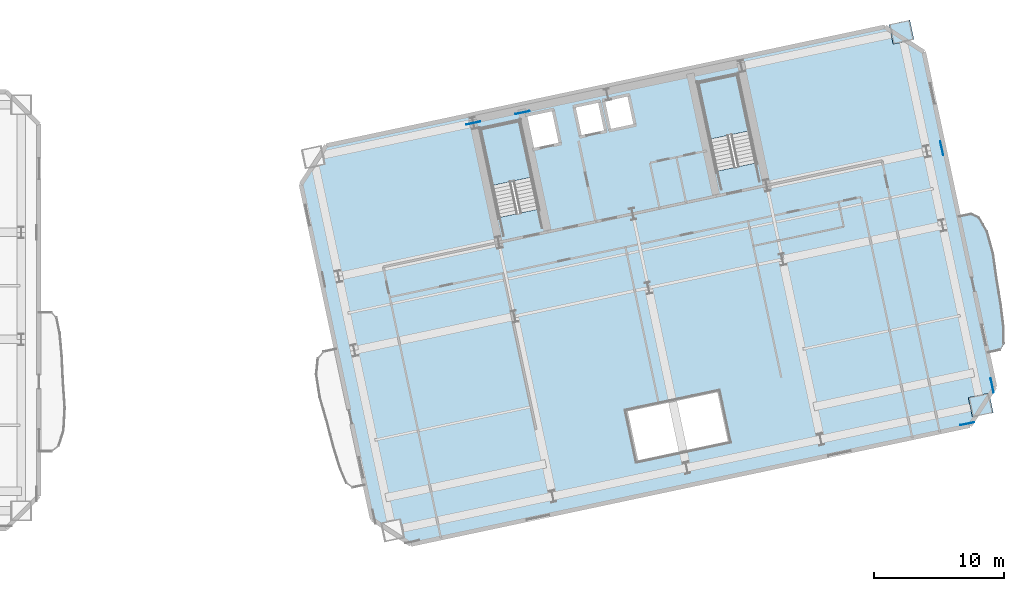
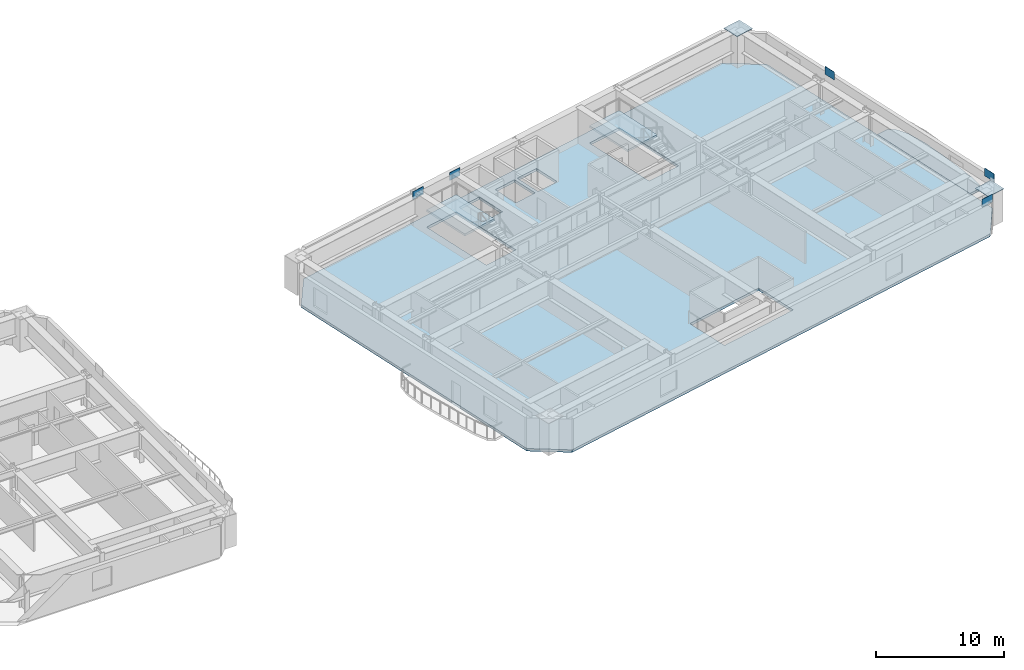
# One storey, part 6 of 18: 7 plates, 4 slabs, 2 elements without a shape of their own.
"""IFC4 building model written with IfcOpenShell, lengths in metres."""

from ifc_helpers import new_model, si_unit, direction, frame, origin, origin_2d, place, context, subcontext, project, spatial, polyline, rectangle, outline, extrude, material, layer, layer_set, type_object, element, aggregate, save


model = new_model("IFC4")

# Units and contexts
model_context = context("Model", 3, precision=1e-05, world=origin(), true_north=direction((0.0, 1.0)))
body_context = subcontext(model_context, "Body", "Model", "MODEL_VIEW")
ifc_project = project(units=[si_unit("LENGTHUNIT", "METRE"), si_unit("AREAUNIT", "SQUARE_METRE"), si_unit("VOLUMEUNIT", "CUBIC_METRE"), si_unit("PLANEANGLEUNIT", "RADIAN"), si_unit("MASSUNIT", "GRAM", prefix="KILO")], contexts=[model_context])

# Site, building, storey
site_placement = place(None, origin())
site = spatial("IfcSite", under=ifc_project, at=site_placement, CompositionType="ELEMENT")
building_placement = place(site_placement, origin())
building = spatial("IfcBuilding", under=site, at=building_placement, Name="Haevon Station Towers", CompositionType="ELEMENT")
storey_placement = place(building_placement, frame((0.0, 0.0, 66.89990234375)))
storey = spatial("IfcBuildingStorey", under=building, at=storey_placement, Name="L17", CompositionType="ELEMENT", Elevation=66.89990234375)

# Plates
ifc_material_1 = material(Name="PL-FLG1", Category="steel")
ifc_layer_1 = layer(ifc_material_1, 0.044921875)
ifc_layer_set_1 = layer_set([ifc_layer_1], Name="PL-FLG1")
plate_type_1 = type_object("IfcPlateType", Name="PL-FLG1", PredefinedType="USERDEFINED", material=ifc_layer_set_1)
for number, where, z_axis, x_axis, name in (
    (1, (135.70654296875, 24.95263671875, 3.050048828125), (0.0, 0.0, 1.0), (0.978147600734, 0.207911690818, 0.0), "PL-CAP-T2-L17-05-01"),
    (2, (129.625244140625, 53.5634765625, 3.050048828125), (0.0, 0.0, 1.0), (0.978147600734, 0.207911690818, 0.0), "PL-CAP-T2-L17-05-04"),
):
    element("IfcPlate", number, at=place(storey_placement, frame(where, z_axis=z_axis, x_axis=x_axis)), inside=storey, type_object=plate_type_1, Name=name, ObjectType="FLANGE_PLATE", PredefinedType="USERDEFINED", context=body_context, shape_type="SweptSolid", body=[
        extrude(rectangle(XDim=1.639892578125, YDim=1.5400390625, at=origin_2d()), origin(), (0.0, 0.0, 1.0), 0.0400390625),
    ])
ifc_material_2 = material(Name="PL-SPL1", Category="steel")
ifc_layer_2 = layer(ifc_material_2, 0.031982421875)
ifc_layer_set_2 = layer_set([ifc_layer_2], Name="PL-SPL1")
plate_type_2 = type_object("IfcPlateType", Name="PL-SPL1", PredefinedType="USERDEFINED", material=ifc_layer_set_2)
for number, where, z_axis, x_axis, name in (
    (3, (134.67822265625, 23.5380859375, 2.775146484375), (0.0, 0.0, 1.0), (0.978147600734, 0.207911690818, 0.0), "PL-T2SPL-T01-S-4"),
    (4, (96.808349609375, 46.588134765625, 2.775146484375), (0.0, 0.0, 1.0), (0.978147600734, 0.207911690818, 0.0), "PL-T2SPL-T01-N-3"),
    (5, (100.57421875, 47.388671875, 2.775146484375), (0.0, 0.0, 1.0), (0.978147600734, 0.207911690818, 0.0), "PL-T2SPL-T01-N-4"),
    (6, (136.580810546875, 26.467529296875, 2.775146484375), (0.0, 0.0, 1.0), (-0.207911690818, 0.978147600734, 0.0), "PL-T2SPL-T01-E-3"),
    (7, (132.713623046875, 44.6611328125, 2.775146484375), (0.0, 0.0, 1.0), (-0.207911690818, 0.978147600734, 0.0), "PL-T2SPL-T01-E-4"),
):
    element("IfcPlate", number, at=place(storey_placement, frame(where, z_axis=z_axis, x_axis=x_axis)), inside=storey, type_object=plate_type_2, Name=name, ObjectType="SPLICE_PLATE", PredefinedType="USERDEFINED", context=body_context, shape_type="SweptSolid", body=[
        extrude(rectangle(XDim=1.10009765625, YDim=0.031982421875, at=origin_2d()), origin(), (0.0, 0.0, 1.0), 0.75),
    ])

# Slab
ifc_material_3 = material(Name="Concrete C40/50", Category="concrete")
ifc_layer_3 = layer(ifc_material_3, 0.219970703125)
ifc_layer_set_3 = layer_set([ifc_layer_3], Name="Concrete C40/50")
slab_type_1 = type_object("IfcSlabType", Name="SL-BALC220", PredefinedType="FLOOR", material=ifc_layer_set_3)
slab_1_placement = place(storey_placement, frame((0.0, 0.0, -0.219970703125)))
element("IfcSlab", 8, at=slab_1_placement, inside=storey, type_object=slab_type_1, Name="Tower 2 L17 East SCALLOPED BALCONY", PredefinedType="FLOOR", context=body_context, shape_type="SweptSolid", body=[
    extrude(outline(polyline([(136.2470703125, 28.927001953125), (137.18359375, 29.1259765625), (137.48046875, 29.609375), (137.477783203125, 30.805419921875), (137.2802734375, 32.554443359375), (137.0029296875, 34.608154296875), (136.658203125, 36.647705078125), (136.181396484375, 38.33740234375), (135.565185546875, 39.403076171875), (134.938232421875, 39.68994140625), (134.001708984375, 39.490966796875), (136.2470703125, 28.927001953125)])), origin(), (0.0, 0.0, 1.0), 0.219970703125),
])

# Stair, slab
stair_type = type_object("IfcStairType", Name="STR-DL1450", PredefinedType="USERDEFINED", material=ifc_material_3)
stair_1_placement = place(storey_placement, origin())
stair_1 = element("IfcStair", 9, at=stair_1_placement, inside=storey, type_object=stair_type, Name="L17 Escape Stair ST3", ObjectType="TWO_RETURN_STAIR", PredefinedType="USERDEFINED")
ifc_layer_4 = layer(ifc_material_3, 0.199951171875)
ifc_layer_set_4 = layer_set([ifc_layer_4], Name="Concrete C40/50")
slab_type_2 = type_object("IfcSlabType", Name="SL-LND200", PredefinedType="LANDING", material=ifc_layer_set_4)
slab_2_placement = place(storey_placement, frame((0.0, 0.0, 1.4501953125)))
slab_2 = element("IfcSlab", 10, at=slab_2_placement, type_object=slab_type_2, Name="L17 ST3 Half Landing 1", PredefinedType="LANDING", context=body_context, shape_type="SweptSolid", body=[
    extrude(outline(polyline([(101.2880859375, 42.44287109375), (100.36572265625, 46.781982421875), (97.33349609375, 46.137451171875), (98.255859375, 41.79833984375), (101.2880859375, 42.44287109375)])), origin(), (0.0, 0.0, 1.0), 0.199951171875),
])
aggregate(stair_1, [slab_2])

stair_2_placement = place(storey_placement, origin())
stair_2 = element("IfcStair", 11, at=stair_2_placement, inside=storey, type_object=stair_type, Name="L17 Escape Stair ST4", ObjectType="TWO_RETURN_STAIR", PredefinedType="USERDEFINED")
slab_3_placement = place(storey_placement, frame((0.0, 0.0, 1.4501953125)))
slab_3 = element("IfcSlab", 12, at=slab_3_placement, type_object=slab_type_2, Name="L17 ST4 Half Landing 1", PredefinedType="LANDING", context=body_context, shape_type="SweptSolid", body=[
    extrude(outline(polyline([(117.975341796875, 45.989990234375), (117.052978515625, 50.328857421875), (114.020751953125, 49.684326171875), (114.943115234375, 45.345458984375), (117.975341796875, 45.989990234375)])), origin(), (0.0, 0.0, 1.0), 0.199951171875),
])
aggregate(stair_2, [slab_3])

# Slab
ifc_layer_5 = layer(ifc_material_3, 0.25)
ifc_layer_set_5 = layer_set([ifc_layer_5], Name="Concrete C40/50")
slab_type_3 = type_object("IfcSlabType", Name="SL-TW250", PredefinedType="FLOOR", material=ifc_layer_set_5)
slab_4_placement = place(storey_placement, frame((0.0, 0.0, -0.25)))
element("IfcSlab", 13, at=slab_4_placement, inside=storey, type_object=slab_type_3, Name="SL-T2-L17", PredefinedType="FLOOR", context=body_context, shape_type="SweptSolid", body=[
    extrude(outline(polyline([(92.01953125, 14.28662109375), (134.862548828125, 23.39306640625), (136.7880859375, 26.358154296875), (131.330322265625, 52.03466796875), (128.365234375, 53.960205078125), (85.5224609375, 44.853759765625), (83.5966796875, 41.888427734375), (89.054443359375, 16.212158203125), (92.01953125, 14.28662109375)]), holes=[polyline([(101.8095703125, 39.98974609375), (100.36572265625, 46.781982421875), (97.33349609375, 46.137451171875), (98.77734375, 39.34521484375), (101.8095703125, 39.98974609375)]), polyline([(118.496826171875, 43.53662109375), (117.052978515625, 50.328857421875), (114.020751953125, 49.684326171875), (115.464599609375, 42.89208984375), (118.496826171875, 43.53662109375)]), polyline([(101.43212890625, 44.554931640625), (103.486328125, 44.99169921875), (102.9248046875, 47.632568359375), (100.870849609375, 47.196044921875), (101.43212890625, 44.554931640625)]), polyline([(105.009765625, 45.519775390625), (106.966064453125, 45.935791015625), (106.467041015625, 48.283203125), (104.5107421875, 47.867431640625), (105.009765625, 45.519775390625)]), polyline([(107.259521484375, 45.998046875), (109.2158203125, 46.413818359375), (108.716796875, 48.761474609375), (106.760498046875, 48.345703125), (107.259521484375, 45.998046875)]), polyline([(109.379150390625, 20.634521484375), (116.421875, 22.131591796875), (115.590087890625, 26.044189453125), (108.54736328125, 24.547119140625), (109.379150390625, 20.634521484375)])]), origin(), (0.0, 0.0, 1.0), 0.25),
])

save(model, "model.ifc")
